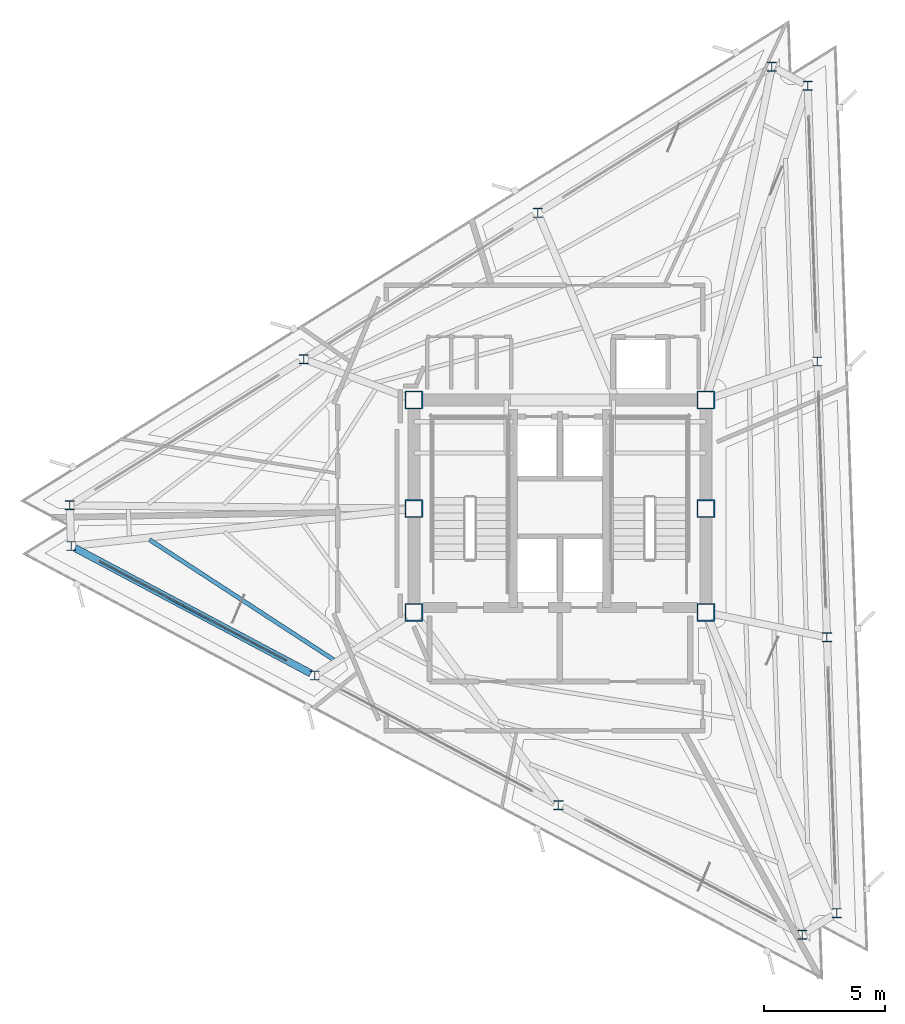
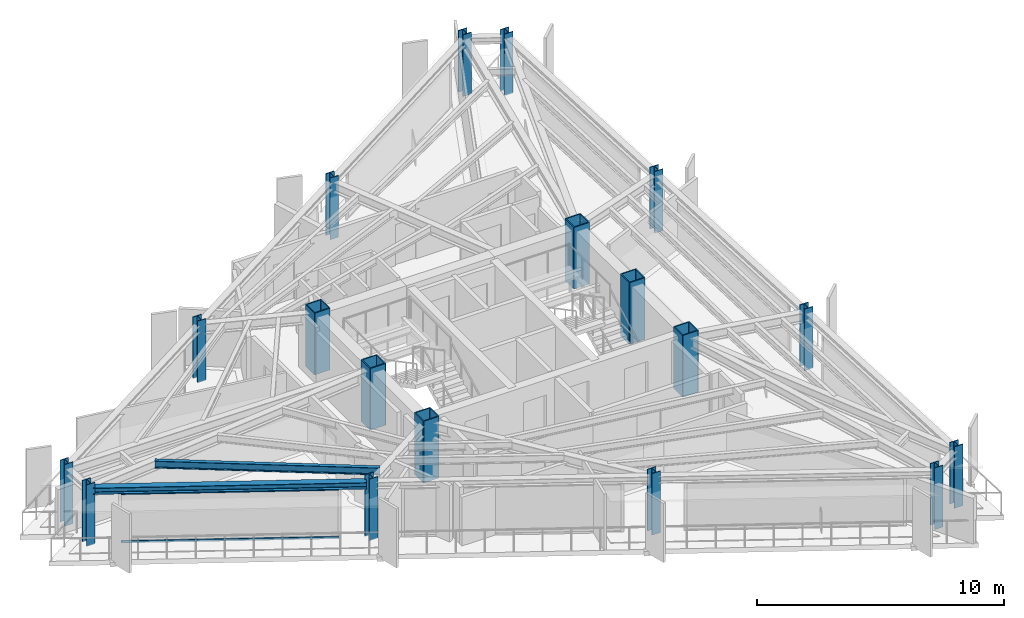
# One storey, part 1 of 13: 18 columns, 2 beams, 2 members, 1 element without a shape of its own.
"""IFC4 building model written with IfcOpenShell, lengths in metres."""

from ifc_helpers import new_model, si_unit, direction, frame, origin, origin_2d, place, context, subcontext, project, spatial, rectangle, hollow_rectangle, i_section, extrude, material, layer, layer_set, material_profile, profile_set, type_object, element, aggregate, save


model = new_model("IFC4")

# Units and contexts
model_context = context("Model", 3, precision=1e-05, world=origin(), true_north=direction((0.0, 1.0)))
body_context = subcontext(model_context, "Body", "Model", "MODEL_VIEW")
ifc_project = project(units=[si_unit("LENGTHUNIT", "METRE"), si_unit("AREAUNIT", "SQUARE_METRE"), si_unit("VOLUMEUNIT", "CUBIC_METRE"), si_unit("PLANEANGLEUNIT", "RADIAN"), si_unit("MASSUNIT", "GRAM", prefix="KILO")], contexts=[model_context])

# Site, building, storey
site_placement = place(None, origin())
site = spatial("IfcSite", under=ifc_project, at=site_placement, CompositionType="ELEMENT")
building_placement = place(site_placement, origin())
building = spatial("IfcBuilding", under=site, at=building_placement, Name="Rocaltana Carrier Exchange", CompositionType="ELEMENT")
storey_placement = place(building_placement, frame((0.0, 0.0, 199.679931640625)))
storey = spatial("IfcBuildingStorey", under=building, at=storey_placement, Name="L63", CompositionType="ELEMENT", Elevation=199.679931640625)

# Columns
ifc_material_1 = material(Name="Steel S460", Category="steel")
ifc_material_profile_1 = material_profile(ifc_material_1, hollow_rectangle(XDim=0.75, YDim=0.75, WallThickness=0.050048828125, InnerFilletRadius=0.02001953125, OuterFilletRadius=0.0400390625, at=origin_2d()), Name="BOX750X750X50")
ifc_profile_set_1 = profile_set([ifc_material_profile_1], Name="Steel S460")
column_type_1 = type_object("IfcColumnType", Name="Core Mega-Column BOX750", PredefinedType="COLUMN", material=ifc_profile_set_1)
for number, where, z_axis, x_axis, name in (
    (1, (-6.050048828125, 4.5, 0.0), (0.0, 0.0, 1.0), (1.0, 0.0, 0.0), "L63 Core Mega-Column MC1"),
    (2, (6.050048828125, 4.5, 0.0), (0.0, 0.0, 1.0), (1.0, 0.0, 0.0), "L63 Core Mega-Column MC2"),
    (3, (-6.050048828125, 0.0, 0.0), (0.0, 0.0, 1.0), (1.0, 0.0, 0.0), "L63 Core Mega-Column MC3"),
    (4, (6.050048828125, 0.0, 0.0), (0.0, 0.0, 1.0), (1.0, 0.0, 0.0), "L63 Core Mega-Column MC4"),
    (5, (-6.050048828125, -4.300048828125, 0.0), (0.0, 0.0, 1.0), (1.0, 0.0, 0.0), "L63 Core Mega-Column MC5"),
    (6, (6.050048828125, -4.300048828125, 0.0), (0.0, 0.0, 1.0), (1.0, 0.0, 0.0), "L63 Core Mega-Column MC6"),
):
    element("IfcColumn", number, at=place(storey_placement, frame(where, z_axis=z_axis, x_axis=x_axis)), inside=storey, type_object=column_type_1, Name=name, PredefinedType="COLUMN", context=body_context, shape_type="SweptSolid", body=[
        extrude(hollow_rectangle(XDim=0.75, YDim=0.75, WallThickness=0.050048828125, InnerFilletRadius=0.02001953125, OuterFilletRadius=0.0400390625, at=origin_2d()), origin(), (0.0, 0.0, 1.0), 3.0400390625),
    ])
ifc_material_2 = material(Name="Steel S355", Category="steel")
ifc_material_profile_2 = material_profile(ifc_material_2, i_section(OverallWidth=0.39794921875, OverallDepth=0.386962890625, WebThickness=0.02099609375, FlangeThickness=0.033203125, FilletRadius=0.01806640625, at=origin_2d()), Name="W14X176")
ifc_profile_set_2 = profile_set([ifc_material_profile_2], Name="Steel S355")
column_type_2 = type_object("IfcColumnType", Name="Perimeter Column W14X176", PredefinedType="COLUMN", material=ifc_profile_set_2)
for number, where, z_axis, x_axis, name in (
    (7, (11.46630859375, -16.760009765625, 0.0), (0.0, 0.0, 1.0), (1.0, 0.0, 0.0), "L63 Perimeter Column TC01"),
    (8, (11.067138671875, -5.333740234375, 0.0), (0.0, 0.0, 1.0), (1.0, 0.0, 0.0), "L63 Perimeter Column TC02"),
    (9, (10.668212890625, 6.0927734375, 0.0), (0.0, 0.0, 1.0), (1.0, 0.0, 0.0), "L63 Perimeter Column TC03"),
    (10, (10.269287109375, 17.51904296875, 0.0), (0.0, 0.0, 1.0), (1.0, 0.0, 0.0), "L63 Perimeter Column TC04"),
    (11, (8.781494140625, 18.31005859375, 0.0), (0.0, 0.0, 1.0), (1.0, 0.0, 0.0), "L63 Perimeter Column TC05"),
    (12, (-0.91455078125, 12.251220703125, 0.0), (0.0, 0.0, 1.0), (1.0, 0.0, 0.0), "L63 Perimeter Column TC06"),
    (13, (-10.610595703125, 6.192626953125, 0.0), (0.0, 0.0, 1.0), (1.0, 0.0, 0.0), "L63 Perimeter Column TC07"),
    (14, (-20.306640625, 0.1337890625, 0.0), (0.0, 0.0, 1.0), (1.0, 0.0, 0.0), "L63 Perimeter Column TC08"),
    (15, (-20.247802734375, -1.550048828125, 0.0), (0.0, 0.0, 1.0), (1.0, 0.0, 0.0), "L63 Perimeter Column TC09"),
    (16, (-10.152587890625, -6.917724609375, 0.0), (0.0, 0.0, 1.0), (1.0, 0.0, 0.0), "L63 Perimeter Column TC10"),
    (17, (-0.0576171875, -12.285400390625, 0.0), (0.0, 0.0, 1.0), (1.0, 0.0, 0.0), "L63 Perimeter Column TC11"),
    (18, (10.037353515625, -17.65283203125, 0.0), (0.0, 0.0, 1.0), (1.0, 0.0, 0.0), "L63 Perimeter Column TC12"),
):
    element("IfcColumn", number, at=place(storey_placement, frame(where, z_axis=z_axis, x_axis=x_axis)), inside=storey, type_object=column_type_2, Name=name, PredefinedType="COLUMN", context=body_context, shape_type="SweptSolid", body=[
        extrude(i_section(OverallWidth=0.39794921875, OverallDepth=0.386962890625, WebThickness=0.02099609375, FlangeThickness=0.033203125, FilletRadius=0.01806640625, at=origin_2d()), origin(), (0.0, 0.0, 1.0), 3.0400390625),
    ])

# Curtain wall, members
ifc_material_3 = material(Name="Aluminium 6063-T6", Category="aluminium")
ifc_layer = layer(ifc_material_3, 0.1201171875)
ifc_layer_set = layer_set([ifc_layer], Name="Aluminium 6063-T6")
curtain_wall_type = type_object("IfcCurtainWallType", Name="High-Altitude Thermal Curtain Wall CW-05", PredefinedType="NOTDEFINED", material=ifc_layer_set)
curtain_wall_placement = place(storey_placement, origin())
curtain_wall = element("IfcCurtainWall", 19, at=curtain_wall_placement, inside=storey, type_object=curtain_wall_type, Name="L63 CW-05 Run CW-L63-F3S1", PredefinedType="NOTDEFINED")
ifc_material_4 = material(Name="Aluminium 6063-T6", Category="aluminium")
ifc_material_profile_3 = material_profile(ifc_material_4, rectangle(XDim=0.06005859375, YDim=0.1201171875, at=origin_2d()), Name="AL-60X120")
ifc_profile_set_3 = profile_set([ifc_material_profile_3], Name="Aluminium 6063-T6")
member_type = type_object("IfcMemberType", Name="CW-05 Transom AL-60X120", PredefinedType="USERDEFINED", material=ifc_profile_set_3)
member_1_placement = place(storey_placement, frame((-19.091064453125, -2.1650390625, 0.030029296875), z_axis=(0.882944221824, -0.469477902726, 0.0), x_axis=(0.469477902726, 0.882944221824, 0.0)))
member_1 = element("IfcMember", 20, at=member_1_placement, type_object=member_type, Name="CW-05 transom 1.1", ObjectType="TRANSOM", PredefinedType="USERDEFINED", context=body_context, shape_type="SweptSolid", body=[
    extrude(rectangle(XDim=0.06005859375, YDim=0.1201171875, at=origin_2d()), origin(), (0.0, 0.0, 1.0), 8.8134765625),
])
member_2_placement = place(storey_placement, frame((-19.091064453125, -2.1650390625, 2.41796875), z_axis=(0.882944221824, -0.469477902726, 0.0), x_axis=(0.469477902726, 0.882944221824, 0.0)))
member_2 = element("IfcMember", 21, at=member_2_placement, type_object=member_type, Name="CW-05 transom 1.2", ObjectType="TRANSOM", PredefinedType="USERDEFINED", context=body_context, shape_type="SweptSolid", body=[
    extrude(rectangle(XDim=0.06005859375, YDim=0.1201171875, at=origin_2d()), origin(), (0.0, 0.0, 1.0), 8.8134765625),
])
aggregate(curtain_wall, [member_1, member_2])

# Beams
ifc_material_5 = material(Name="Steel S355", Category="steel")
ifc_material_profile_4 = material_profile(ifc_material_5, i_section(OverallWidth=0.172119140625, OverallDepth=0.35791015625, WebThickness=0.0078125, FlangeThickness=0.01318359375, FilletRadius=0.011962890625, at=origin_2d()), Name="W14X38")
ifc_profile_set_4 = profile_set([ifc_material_profile_4], Name="Steel S355")
beam_type_1 = type_object("IfcBeamType", Name="Floor Joist W14X38", PredefinedType="JOIST", material=ifc_profile_set_4)
beam_1_placement = place(storey_placement, frame((-17.003662109375, -1.28759765625, 2.619140625), z_axis=(0.837735841747, -0.546075690223, 0.0), x_axis=(0.546075690223, 0.837735841747, 0.0)))
element("IfcBeam", 22, at=beam_1_placement, inside=storey, type_object=beam_type_1, Name="FJ-L63-09-3", PredefinedType="JOIST", context=body_context, shape_type="SweptSolid", body=[
    extrude(i_section(OverallWidth=0.172119140625, OverallDepth=0.35791015625, WebThickness=0.0078125, FlangeThickness=0.01318359375, FilletRadius=0.011962890625, at=origin_2d()), origin(), (0.0, 0.0, 1.0), 9.111572265625),
])
ifc_material_6 = material(Name="Steel S355", Category="steel")
ifc_material_profile_5 = material_profile(ifc_material_6, i_section(OverallWidth=0.300048828125, OverallDepth=0.320068359375, WebThickness=0.011474609375, FlangeThickness=0.0205078125, FilletRadius=0.027099609375, at=origin_2d()), Name="HEB320")
ifc_profile_set_5 = profile_set([ifc_material_profile_5], Name="Steel S355")
beam_type_2 = type_object("IfcBeamType", Name="Spandrel Edge Beam HEB320", PredefinedType="SPANDREL", material=ifc_profile_set_5)
beam_2_placement = place(storey_placement, frame((-20.083984375, -1.63720703125, 2.63818359375), z_axis=(0.882953364768, -0.469460707242, 0.0), x_axis=(0.469460707242, 0.882953364768, 0.0)))
element("IfcBeam", 23, at=beam_2_placement, inside=storey, type_object=beam_type_2, Name="SP-L63-09", PredefinedType="SPANDREL", context=body_context, shape_type="SweptSolid", body=[
    extrude(i_section(OverallWidth=0.300048828125, OverallDepth=0.320068359375, WebThickness=0.011474609375, FlangeThickness=0.0205078125, FilletRadius=0.027099609375, at=origin_2d()), origin(), (0.0, 0.0, 1.0), 11.0625),
])

save(model, "model.ifc")
